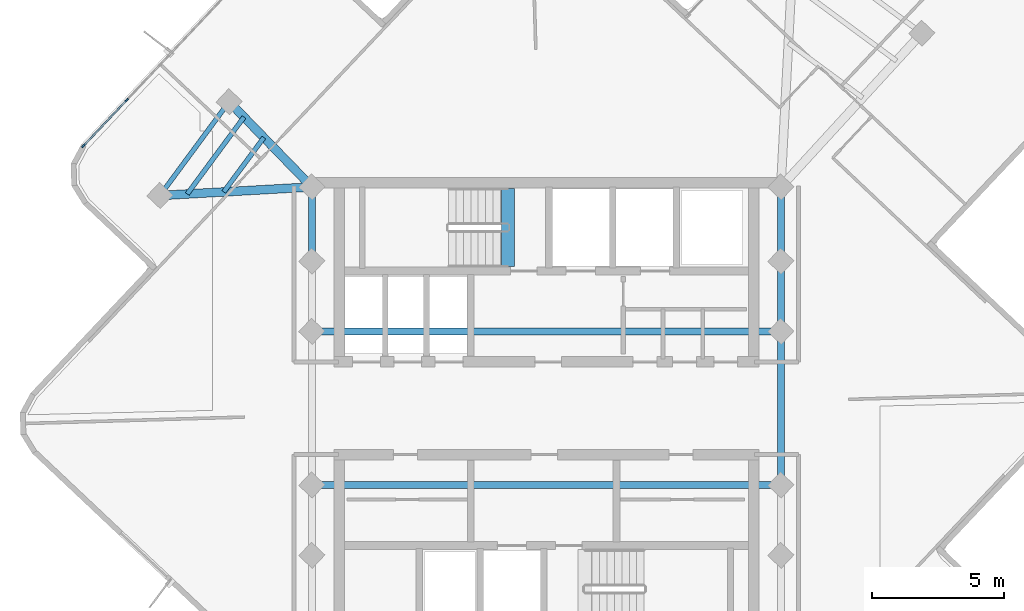
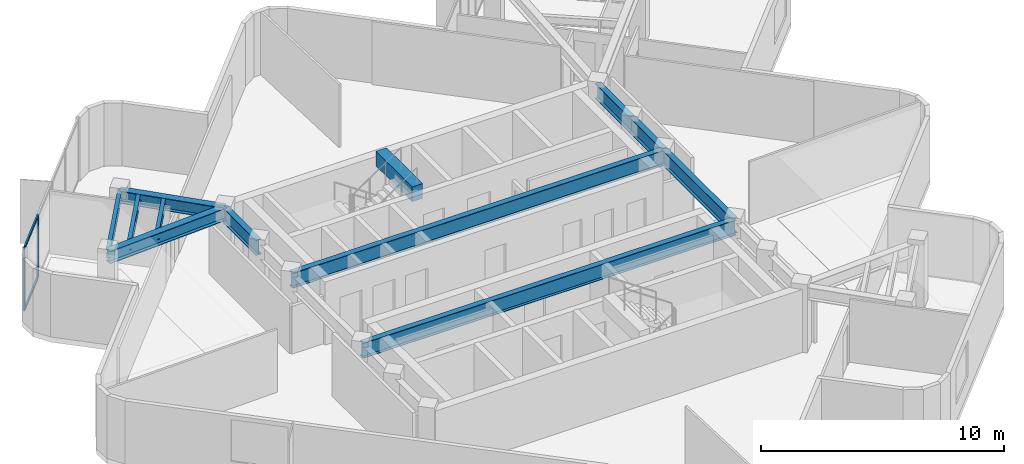
# One storey, part 2 of 10: 12 beams, 4 members, 1 element without a shape of its own.
"""IFC4 building model written with IfcOpenShell, lengths in metres."""

from ifc_helpers import new_model, si_unit, direction, frame, origin, origin_2d, place, context, subcontext, project, spatial, rectangle, i_section, extrude, material, layer, layer_set, material_profile, profile_set, type_object, element, aggregate, save


model = new_model("IFC4")

# Units and contexts
model_context = context("Model", 3, precision=1e-05, world=origin(), true_north=direction((0.0, 1.0)))
body_context = subcontext(model_context, "Body", "Model", "MODEL_VIEW")
ifc_project = project(units=[si_unit("LENGTHUNIT", "METRE"), si_unit("AREAUNIT", "SQUARE_METRE"), si_unit("VOLUMEUNIT", "CUBIC_METRE"), si_unit("PLANEANGLEUNIT", "RADIAN"), si_unit("MASSUNIT", "GRAM", prefix="KILO")], contexts=[model_context])

# Site, building, storey
site_placement = place(None, origin())
site = spatial("IfcSite", under=ifc_project, at=site_placement, CompositionType="ELEMENT")
building_placement = place(site_placement, origin())
building = spatial("IfcBuilding", under=site, at=building_placement, Name="Solmarez Civic Tower", CompositionType="ELEMENT")
storey_placement = place(building_placement, frame((0.0, 0.0, 247.5)))
storey = spatial("IfcBuildingStorey", under=building, at=storey_placement, Name="L66", CompositionType="ELEMENT", Elevation=247.5)

# Beams
ifc_material_1 = material(Name="Steel S355", Category="steel")
ifc_material_profile_1 = material_profile(ifc_material_1, i_section(OverallWidth=0.178955078125, OverallDepth=0.409912109375, WebThickness=0.0087890625, FlangeThickness=0.014404296875, at=origin_2d()), Name="W16X45")
ifc_profile_set_1 = profile_set([ifc_material_profile_1], Name="Steel S355")
beam_type_1 = type_object("IfcBeamType", Name="BM-JS-W16X45", PredefinedType="JOIST", material=ifc_profile_set_1)
beam_1_placement = place(storey_placement, frame((-11.970947265625, 11.56591796875, 2.955078125), z_axis=(-0.593730834471, -0.804663716219, 0.0), x_axis=(0.804663716219, -0.593730834471, 0.0)))
element("IfcBeam", 1, at=beam_1_placement, inside=storey, type_object=beam_type_1, Name="L66 Secondary Floor Joist BM-L66-NA-T1", PredefinedType="JOIST", context=body_context, shape_type="SweptSolid", body=[
    extrude(i_section(OverallWidth=0.178955078125, OverallDepth=0.409912109375, WebThickness=0.0087890625, FlangeThickness=0.014404296875, at=origin_2d()), origin(), (0.0, 0.0, 1.0), 4.3994140625),
])
beam_2_placement = place(storey_placement, frame((-10.659912109375, 10.215087890625, 2.955078125), z_axis=(-0.593812477683, -0.804603468392, 0.0), x_axis=(0.804603468392, -0.593812477683, 0.0)))
element("IfcBeam", 2, at=beam_2_placement, inside=storey, type_object=beam_type_1, Name="L66 Secondary Floor Joist JS-L66-NA-M11", PredefinedType="JOIST", context=body_context, shape_type="SweptSolid", body=[
    extrude(i_section(OverallWidth=0.178955078125, OverallDepth=0.409912109375, WebThickness=0.0087890625, FlangeThickness=0.014404296875, at=origin_2d()), origin(), (0.0, 0.0, 1.0), 2.551513671875),
])
beam_3_placement = place(storey_placement, frame((-11.408935546875, 10.987060546875, 2.955078125), z_axis=(-0.593734433343, -0.804661060735, 0.0), x_axis=(0.804661060735, -0.593734433343, 0.0)))
element("IfcBeam", 3, at=beam_3_placement, inside=storey, type_object=beam_type_1, Name="L66 Secondary Floor Joist JS-L66-NA-M12", PredefinedType="JOIST", context=body_context, shape_type="SweptSolid", body=[
    extrude(i_section(OverallWidth=0.178955078125, OverallDepth=0.409912109375, WebThickness=0.0087890625, FlangeThickness=0.014404296875, at=origin_2d()), origin(), (0.0, 0.0, 1.0), 3.60791015625),
])
ifc_material_2 = material(Name="Concrete C50/60", Category="concrete")
ifc_material_profile_2 = material_profile(ifc_material_2, rectangle(XDim=0.5, YDim=0.75, at=origin_2d()), Name="RC500X750")
ifc_profile_set_2 = profile_set([ifc_material_profile_2], Name="Concrete C50/60")
beam_type_2 = type_object("IfcBeamType", Name="BM-PR-RC500X750", PredefinedType="BEAM", material=ifc_profile_set_2)
beam_4_placement = place(storey_placement, frame((-1.449951171875, 5.340087890625, 3.052978515625), z_axis=(0.0, 1.0, 0.0), x_axis=(-1.0, 0.0, 0.0)))
element("IfcBeam", 4, at=beam_4_placement, inside=storey, type_object=beam_type_2, Name="L66 North Stair Threshold Beam", PredefinedType="BEAM", context=body_context, shape_type="SweptSolid", body=[
    extrude(rectangle(XDim=0.5, YDim=0.75, at=origin_2d()), origin(), (0.0, 0.0, 1.0), 2.9599609375),
])
ifc_material_profile_3 = material_profile(ifc_material_1, i_section(OverallWidth=0.327880859375, OverallDepth=0.6220703125, WebThickness=0.015380859375, FlangeThickness=0.0244140625, at=origin_2d()), Name="W24X131")
ifc_profile_set_3 = profile_set([ifc_material_profile_3], Name="Steel S355")
beam_type_3 = type_object("IfcBeamType", Name="BM-PR-W24X131", PredefinedType="BEAM", material=ifc_profile_set_3)
beam_5_placement = place(storey_placement, frame((-8.85009765625, 8.35009765625, 2.84912109375), z_axis=(-0.696430820305, 0.717623935309, 0.0), x_axis=(-0.717623935309, -0.696430820305, 0.0)))
element("IfcBeam", 5, at=beam_5_placement, inside=storey, type_object=beam_type_3, Name="L66 Primary Floor Beam BM-L66-NA-R1A", PredefinedType="BEAM", context=body_context, shape_type="SweptSolid", body=[
    extrude(i_section(OverallWidth=0.327880859375, OverallDepth=0.6220703125, WebThickness=0.015380859375, FlangeThickness=0.0244140625, at=origin_2d()), origin(), (0.0, 0.0, 1.0), 4.481201171875),
])
beam_6_placement = place(storey_placement, frame((-8.85009765625, 8.35009765625, 2.84912109375), z_axis=(-0.998404650863, -0.056463732917, 0.0), x_axis=(0.056463732917, -0.998404650863, 0.0)))
element("IfcBeam", 6, at=beam_6_placement, inside=storey, type_object=beam_type_3, Name="L66 Primary Floor Beam BM-L66-NA-R1B", PredefinedType="BEAM", context=body_context, shape_type="SweptSolid", body=[
    extrude(i_section(OverallWidth=0.327880859375, OverallDepth=0.6220703125, WebThickness=0.015380859375, FlangeThickness=0.0244140625, at=origin_2d()), origin(), (0.0, 0.0, 1.0), 5.7421875),
])
ifc_material_profile_4 = material_profile(ifc_material_1, i_section(OverallWidth=0.26708984375, OverallDepth=0.761962890625, WebThickness=0.014404296875, FlangeThickness=0.021484375, at=origin_2d()), Name="W30X116")
ifc_profile_set_4 = profile_set([ifc_material_profile_4], Name="Steel S355")
beam_type_4 = type_object("IfcBeamType", Name="BM-PR-W30X116", PredefinedType="BEAM", material=ifc_profile_set_4)
beam_7_placement = place(storey_placement, frame((-8.85009765625, 5.550048828125, 2.779052734375), z_axis=(0.0, 1.0, 0.0), x_axis=(-1.0, 0.0, 0.0)))
element("IfcBeam", 7, at=beam_7_placement, inside=storey, type_object=beam_type_4, Name="L66 Primary Floor Beam BM-L66-HC4-HC9", PredefinedType="BEAM", context=body_context, shape_type="SweptSolid", body=[
    extrude(i_section(OverallWidth=0.26708984375, OverallDepth=0.761962890625, WebThickness=0.014404296875, FlangeThickness=0.021484375, at=origin_2d()), origin(), (0.0, 0.0, 1.0), 2.800048828125),
])
beam_8_placement = place(storey_placement, frame((8.85009765625, -2.89990234375, 2.779052734375), z_axis=(0.0, 1.0, 0.0), x_axis=(-1.0, 0.0, 0.0)))
element("IfcBeam", 8, at=beam_8_placement, inside=storey, type_object=beam_type_4, Name="L66 Primary Floor Beam BM-L66-HC6-HC7", PredefinedType="BEAM", context=body_context, shape_type="SweptSolid", body=[
    extrude(i_section(OverallWidth=0.26708984375, OverallDepth=0.761962890625, WebThickness=0.014404296875, FlangeThickness=0.021484375, at=origin_2d()), origin(), (0.0, 0.0, 1.0), 5.7998046875),
])
beam_9_placement = place(storey_placement, frame((8.85009765625, 2.89990234375, 2.779052734375), z_axis=(0.0, 1.0, 0.0), x_axis=(-1.0, 0.0, 0.0)))
element("IfcBeam", 9, at=beam_9_placement, inside=storey, type_object=beam_type_4, Name="L66 Primary Floor Beam BM-L66-HC7-HC8", PredefinedType="BEAM", context=body_context, shape_type="SweptSolid", body=[
    extrude(i_section(OverallWidth=0.26708984375, OverallDepth=0.761962890625, WebThickness=0.014404296875, FlangeThickness=0.021484375, at=origin_2d()), origin(), (0.0, 0.0, 1.0), 2.650146484375),
])
beam_10_placement = place(storey_placement, frame((8.85009765625, 5.550048828125, 2.779052734375), z_axis=(0.0, 1.0, 0.0), x_axis=(-1.0, 0.0, 0.0)))
element("IfcBeam", 10, at=beam_10_placement, inside=storey, type_object=beam_type_4, Name="L66 Primary Floor Beam BM-L66-HC8-HC11", PredefinedType="BEAM", context=body_context, shape_type="SweptSolid", body=[
    extrude(i_section(OverallWidth=0.26708984375, OverallDepth=0.761962890625, WebThickness=0.014404296875, FlangeThickness=0.021484375, at=origin_2d()), origin(), (0.0, 0.0, 1.0), 2.800048828125),
])
for number, where, z_axis, x_axis, name in (
    (11, (-8.85009765625, -2.89990234375, 2.779052734375), (1.0, 0.0, 0.0), (0.0, 1.0, 0.0), "L66 Primary Floor Beam BM-L66-HC2-HC6"),
    (12, (-8.85009765625, 2.89990234375, 2.779052734375), (1.0, 0.0, 0.0), (0.0, 1.0, 0.0), "L66 Primary Floor Beam BM-L66-HC3-HC7"),
):
    element("IfcBeam", number, at=place(storey_placement, frame(where, z_axis=z_axis, x_axis=x_axis)), inside=storey, type_object=beam_type_4, Name=name, PredefinedType="BEAM", context=body_context, shape_type="SweptSolid", body=[
        extrude(i_section(OverallWidth=0.26708984375, OverallDepth=0.761962890625, WebThickness=0.014404296875, FlangeThickness=0.021484375, at=origin_2d()), origin(), (0.0, 0.0, 1.0), 17.7001953125),
    ])

# Curtain wall, members
ifc_material_3 = material(Name="Bronze Anodised Aluminium EN AW-6063 T6", Category="aluminium")
ifc_layer = layer(ifc_material_3, 0.1650390625)
ifc_layer_set = layer_set([ifc_layer], Name="Bronze Anodised Aluminium EN AW-6063 T6")
curtain_wall_type = type_object("IfcCurtainWallType", Name="CW-SYS-4", PredefinedType="NOTDEFINED", material=ifc_layer_set)
curtain_wall_placement = place(storey_placement, origin())
curtain_wall = element("IfcCurtainWall", 13, at=curtain_wall_placement, inside=storey, type_object=curtain_wall_type, Name="L66 Stick-Built Curtain Wall 1", PredefinedType="NOTDEFINED")
ifc_material_profile_5 = material_profile(ifc_material_3, rectangle(XDim=0.06005859375, YDim=0.14990234375, at=origin_2d()), Name="CWM-60X150")
ifc_profile_set_5 = profile_set([ifc_material_profile_5], Name="Bronze Anodised Aluminium EN AW-6063 T6")
member_type_1 = type_object("IfcMemberType", Name="CWM-TYPE-4", PredefinedType="MULLION", material=ifc_profile_set_5)
member_1_placement = place(storey_placement, frame((-17.467529296875, 9.89990234375, 0.0), z_axis=(0.0, 0.0, 1.0), x_axis=(-0.727534570371, 0.68607102323, 0.0)))
member_1 = element("IfcMember", 14, at=member_1_placement, type_object=member_type_1, Name="CWS4 mullion 1", PredefinedType="MULLION", context=body_context, shape_type="SweptSolid", body=[
    extrude(rectangle(XDim=0.06005859375, YDim=0.14990234375, at=origin_2d()), origin(), (0.0, 0.0, 1.0), 3.159912109375),
])
member_2_placement = place(storey_placement, frame((-15.83740234375, 11.628173828125, 0.0), z_axis=(0.0, 0.0, 1.0), x_axis=(-0.727534570371, 0.68607102323, 0.0)))
member_2 = element("IfcMember", 15, at=member_2_placement, type_object=member_type_1, Name="CWS4 mullion 2", PredefinedType="MULLION", context=body_context, shape_type="SweptSolid", body=[
    extrude(rectangle(XDim=0.06005859375, YDim=0.14990234375, at=origin_2d()), origin(), (0.0, 0.0, 1.0), 3.159912109375),
])
ifc_material_profile_6 = material_profile(ifc_material_3, rectangle(XDim=0.070068359375, YDim=0.139892578125, at=origin_2d()), Name="CWT-70X140")
ifc_profile_set_6 = profile_set([ifc_material_profile_6], Name="Bronze Anodised Aluminium EN AW-6063 T6")
member_type_2 = type_object("IfcMemberType", Name="CWT-TYPE-1", PredefinedType="USERDEFINED", material=ifc_profile_set_6)
member_3_placement = place(storey_placement, frame((-17.44677734375, 9.921630859375, 0.034912109375), z_axis=(0.686032004379, 0.727571363488, 0.0), x_axis=(-0.727571363488, 0.686032004379, 0.0)))
member_3 = element("IfcMember", 16, at=member_3_placement, type_object=member_type_2, Name="CWS4 transom 1.1", ObjectType="TRANSOM", PredefinedType="USERDEFINED", context=body_context, shape_type="SweptSolid", body=[
    extrude(rectangle(XDim=0.070068359375, YDim=0.139892578125, at=origin_2d()), origin(), (0.0, 0.0, 1.0), 2.315673828125),
])
member_4_placement = place(storey_placement, frame((-17.44677734375, 9.921630859375, 3.125), z_axis=(0.686032004379, 0.727571363488, 0.0), x_axis=(-0.727571363488, 0.686032004379, 0.0)))
member_4 = element("IfcMember", 17, at=member_4_placement, type_object=member_type_2, Name="CWS4 transom 1.2", ObjectType="TRANSOM", PredefinedType="USERDEFINED", context=body_context, shape_type="SweptSolid", body=[
    extrude(rectangle(XDim=0.070068359375, YDim=0.139892578125, at=origin_2d()), origin(), (0.0, 0.0, 1.0), 2.315673828125),
])
aggregate(curtain_wall, [member_1, member_2, member_3, member_4])

save(model, "model.ifc")
